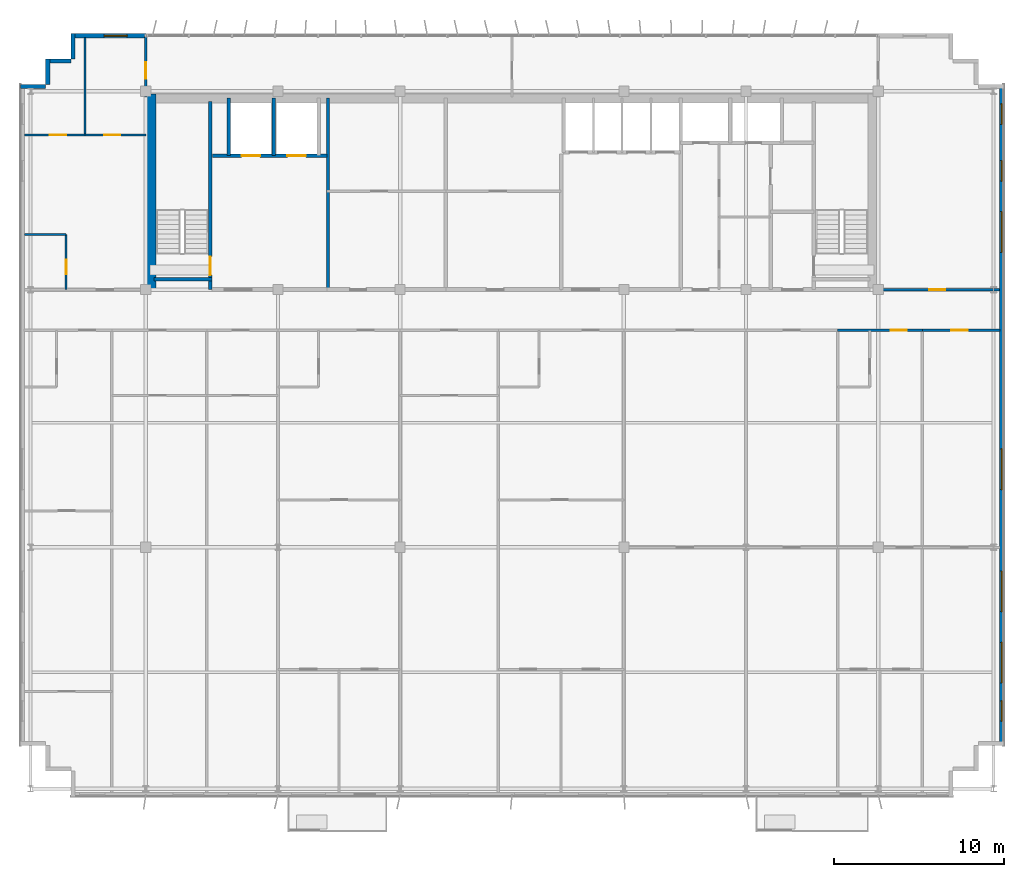
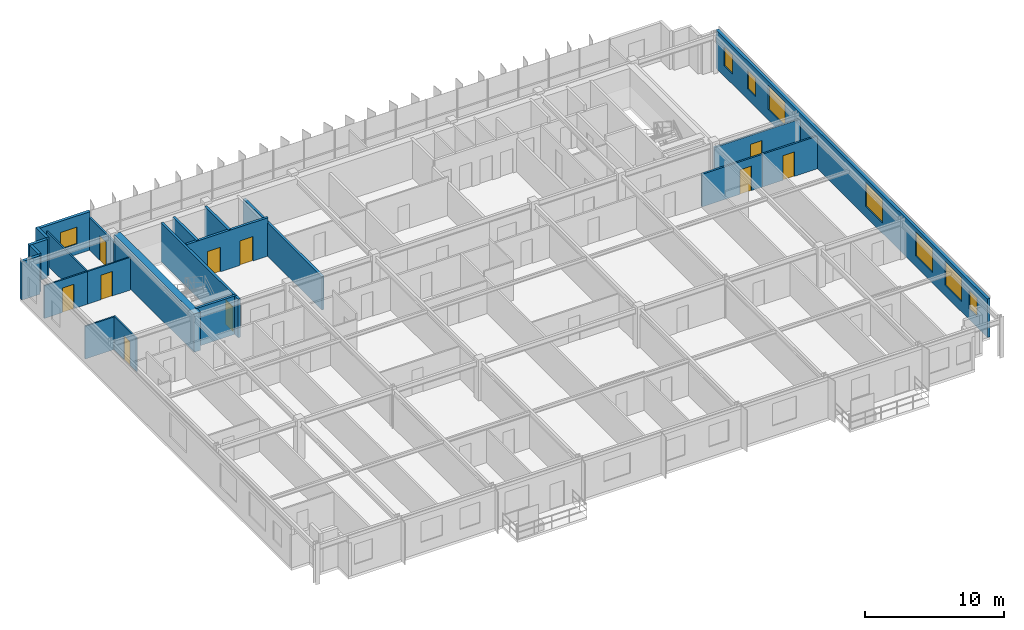
# One storey, part 19 of 23: 22 walls, 10 doors, 8 windows, 18 openings.
"""IFC4 building model written with IfcOpenShell, lengths in metres."""

from ifc_helpers import new_model, si_unit, direction, frame, frame_2d, origin, place, context, subcontext, project, spatial, rectangle, extrude, source, transform, mapped, material, layer, layer_set, type_object, element, fill, save


model = new_model("IFC4")

# Units and contexts
model_context = context("Model", 3, precision=1e-05, world=origin(), true_north=direction((0.0, 1.0)))
body_context = subcontext(model_context, "Body", "Model", "MODEL_VIEW")
ifc_project = project(units=[si_unit("LENGTHUNIT", "METRE"), si_unit("AREAUNIT", "SQUARE_METRE"), si_unit("VOLUMEUNIT", "CUBIC_METRE"), si_unit("PLANEANGLEUNIT", "RADIAN"), si_unit("MASSUNIT", "GRAM", prefix="KILO")], contexts=[model_context])

# Site, building, storey
site_placement = place(None, origin())
site = spatial("IfcSite", under=ifc_project, at=site_placement, CompositionType="ELEMENT")
building_placement = place(site_placement, origin())
building = spatial("IfcBuilding", under=site, at=building_placement, Name="Trelvane Seafront Commons", CompositionType="ELEMENT")
storey_placement = place(building_placement, frame((0.0, 0.0, 266.699951171875)))
storey = spatial("IfcBuildingStorey", under=building, at=storey_placement, Name="L69", CompositionType="ELEMENT", Elevation=266.699951171875)

# Wall, opening, window
ifc_material_1 = material(Name="Precast concrete C40/50", Category="concrete")
ifc_layer_1 = layer(ifc_material_1, 0.239990234375, Name="ARCH-WALL-EXT240")
ifc_layer_set_1 = layer_set([ifc_layer_1], Name="Precast concrete C40/50")
wall_type_1 = type_object("IfcWallType", Name="ARCH-WALL-EXT240", PredefinedType="SOLIDWALL", material=ifc_layer_set_1)
wall_1_placement = place(storey_placement, frame((11.300048828125, 48.3701171875, 0.0), z_axis=(0.0, 0.0, 1.0), x_axis=(1.0, 0.0, 0.0)))
wall_1 = element("IfcWall", 1, at=wall_1_placement, inside=storey, type_object=wall_type_1, Name="EW-L69-NW-1382", PredefinedType="SOLIDWALL", context=body_context, shape_type="SweptSolid", body=[
    extrude(rectangle(XDim=4.300048828125, YDim=0.239990234375, at=frame_2d((2.14990234375, 0.0))), origin(), (0.0, 0.0, 1.0), 3.3701171875),
])
opening_1_placement = place(wall_1_placement, frame((1.847900390625, 0.0, 0.89990234375)))
opening_1 = element("IfcOpeningElement", 2, at=opening_1_placement, cuts=wall_1, Name="Opening W09", PredefinedType="OPENING", context=body_context, shape_type="SweptSolid", body=[
    extrude(rectangle(XDim=1.35009765625, YDim=1.5, at=frame_2d((0.675048828125, 0.75))), frame((0.0, 0.1298828125, 0.0), z_axis=(0.0, -1.0, 0.0), x_axis=(1.0, 0.0, 0.0)), (0.0, 0.0, 1.0), 0.260009765625),
])
ifc_material_2 = material(Name="Low-E coastal double glazing", Category="glass")
window_type_1 = type_object("IfcWindowType", Name="ARCH-WIN-W09", PartitioningType="SINGLE_PANEL", PredefinedType="WINDOW", material=ifc_material_2)
shared_shape_1 = source(origin(), body_context, "Body", "SweptSolid", [
    extrude(rectangle(XDim=1.35009765625, YDim=1.5, at=frame_2d((0.675048828125, 0.75))), frame((0.0, 0.030029296875, 0.0), z_axis=(0.0, -1.0, 0.0), x_axis=(1.0, 0.0, 0.0)), (0.0, 0.0, 1.0), 0.06005859375),
])
window_1_placement = place(opening_1_placement, origin())
window_1 = element("IfcWindow", 3, at=window_1_placement, inside=storey, type_object=window_type_1, Name="WIN-L69-01646", OverallHeight=1.5, OverallWidth=1.35009765625, PartitioningType="SINGLE_PANEL", PredefinedType="WINDOW", context=body_context, shape_type="MappedRepresentation", body=[
    mapped(shared_shape_1, transform((0.0, 0.0, 0.0), x_axis=(1.0, 0.0, 0.0), y_axis=(0.0, 1.0, 0.0), z_axis=(0.0, 0.0, 1.0), scale=1.0)),
])
fill(opening_1, window_1)

# Walls
for number, where, z_axis, x_axis, name in (
    (4, (8.199951171875, 45.3798828125, 0.0), (0.0, 0.0, 1.0), (1.0, 0.0, 0.0), "EW-L69-01388"),
    (5, (9.820068359375, 45.5, 0.0), (0.0, 0.0, 1.0), (0.0, 1.0, 0.0), "EW-L69-01389"),
    (6, (9.699951171875, 46.8798828125, 0.0), (0.0, 0.0, 1.0), (1.0, 0.0, 0.0), "EW-L69-01390"),
    (7, (11.320068359375, 47.0, 0.0), (0.0, 0.0, 1.0), (0.0, 1.0, 0.0), "EW-L69-01391"),
):
    element("IfcWall", number, at=place(storey_placement, frame(where, z_axis=z_axis, x_axis=x_axis)), inside=storey, type_object=wall_type_1, Name=name, PredefinedType="SOLIDWALL", context=body_context, shape_type="SweptSolid", body=[
        extrude(rectangle(XDim=1.5, YDim=0.239990234375, at=frame_2d((0.75, 0.0))), origin(), (0.0, 0.0, 1.0), 3.3701171875),
    ])

# Wall, openings, windows
wall_2_placement = place(storey_placement, frame((66.080078125, 45.5, 0.0), z_axis=(0.0, 0.0, 1.0), x_axis=(0.0, -1.0, 0.0)))
wall_2 = element("IfcWall", 8, at=wall_2_placement, inside=storey, type_object=wall_type_1, Name="EW-L69-01396", PredefinedType="SOLIDWALL", context=body_context, shape_type="SweptSolid", body=[
    extrude(rectangle(XDim=39.0, YDim=0.239990234375, at=frame_2d((19.5, 0.0))), origin(), (0.0, 0.0, 1.0), 3.3701171875),
])
opening_2_placement = place(wall_2_placement, frame((36.35009765625, 0.0, 0.919921875)))
opening_2 = element("IfcOpeningElement", 9, at=opening_2_placement, cuts=wall_2, Name="Opening W05", PredefinedType="OPENING", context=body_context, shape_type="SweptSolid", body=[
    extrude(rectangle(XDim=1.199951171875, YDim=1.64990234375, at=frame_2d((0.60009765625, 0.824951171875))), frame((0.0, 0.1298828125, 0.0), z_axis=(0.0, -1.0, 0.0), x_axis=(1.0, 0.0, 0.0)), (0.0, 0.0, 1.0), 0.260009765625),
])
opening_3_placement = place(wall_2_placement, frame((32.89990234375, 0.0, 0.919921875)))
opening_3 = element("IfcOpeningElement", 10, at=opening_3_placement, cuts=wall_2, Name="Opening W08", PredefinedType="OPENING", context=body_context, shape_type="SweptSolid", body=[
    extrude(rectangle(XDim=2.39990234375, YDim=2.10009765625, at=frame_2d((1.199951171875, 1.050048828125))), frame((0.0, 0.1298828125, 0.0), z_axis=(0.0, -1.0, 0.0), x_axis=(1.0, 0.0, 0.0)), (0.0, 0.0, 1.0), 0.260009765625),
])
opening_4_placement = place(wall_2_placement, frame((28.699951171875, 0.0, 0.919921875)))
opening_4 = element("IfcOpeningElement", 11, at=opening_4_placement, cuts=wall_2, Name="Opening W08", PredefinedType="OPENING", context=body_context, shape_type="SweptSolid", body=[
    extrude(rectangle(XDim=2.39990234375, YDim=2.10009765625, at=frame_2d((1.199951171875, 1.050048828125))), frame((0.0, 0.1298828125, 0.0), z_axis=(0.0, -1.0, 0.0), x_axis=(1.0, 0.0, 0.0)), (0.0, 0.0, 1.0), 0.260009765625),
])
opening_5_placement = place(wall_2_placement, frame((21.5, 0.0, 0.919921875)))
opening_5 = element("IfcOpeningElement", 12, at=opening_5_placement, cuts=wall_2, Name="Opening W08", PredefinedType="OPENING", context=body_context, shape_type="SweptSolid", body=[
    extrude(rectangle(XDim=2.39990234375, YDim=2.10009765625, at=frame_2d((1.199951171875, 1.050048828125))), frame((0.0, 0.1298828125, 0.0), z_axis=(0.0, -1.0, 0.0), x_axis=(1.0, 0.0, 0.0)), (0.0, 0.0, 1.0), 0.260009765625),
])
opening_6_placement = place(wall_2_placement, frame((7.5, 0.0, 0.919921875)))
opening_6 = element("IfcOpeningElement", 13, at=opening_6_placement, cuts=wall_2, Name="Opening W08", PredefinedType="OPENING", context=body_context, shape_type="SweptSolid", body=[
    extrude(rectangle(XDim=2.39990234375, YDim=2.10009765625, at=frame_2d((1.199951171875, 1.050048828125))), frame((0.0, 0.1298828125, 0.0), z_axis=(0.0, -1.0, 0.0), x_axis=(1.0, 0.0, 0.0)), (0.0, 0.0, 1.0), 0.260009765625),
])
opening_7_placement = place(wall_2_placement, frame((4.5, 0.0, 0.919921875)))
opening_7 = element("IfcOpeningElement", 14, at=opening_7_placement, cuts=wall_2, Name="Opening W05", PredefinedType="OPENING", context=body_context, shape_type="SweptSolid", body=[
    extrude(rectangle(XDim=1.199951171875, YDim=1.64990234375, at=frame_2d((0.60009765625, 0.824951171875))), frame((0.0, 0.1298828125, 0.0), z_axis=(0.0, -1.0, 0.0), x_axis=(1.0, 0.0, 0.0)), (0.0, 0.0, 1.0), 0.260009765625),
])
opening_8_placement = place(wall_2_placement, frame((1.14990234375, 0.0, 0.919921875)))
opening_8 = element("IfcOpeningElement", 15, at=opening_8_placement, cuts=wall_2, Name="Opening W05", PredefinedType="OPENING", context=body_context, shape_type="SweptSolid", body=[
    extrude(rectangle(XDim=1.199951171875, YDim=1.64990234375, at=frame_2d((0.60009765625, 0.824951171875))), frame((0.0, 0.1298828125, 0.0), z_axis=(0.0, -1.0, 0.0), x_axis=(1.0, 0.0, 0.0)), (0.0, 0.0, 1.0), 0.260009765625),
])
window_type_2 = type_object("IfcWindowType", Name="ARCH-WIN-W08", PartitioningType="SINGLE_PANEL", PredefinedType="WINDOW", material=ifc_material_2)
shared_shape_2 = source(origin(), body_context, "Body", "SweptSolid", [
    extrude(rectangle(XDim=2.39990234375, YDim=2.10009765625, at=frame_2d((1.199951171875, 1.050048828125))), frame((0.0, 0.030029296875, 0.0), z_axis=(0.0, -1.0, 0.0), x_axis=(1.0, 0.0, 0.0)), (0.0, 0.0, 1.0), 0.06005859375),
])
window_2_placement = place(opening_3_placement, origin())
window_2 = element("IfcWindow", 16, at=window_2_placement, inside=storey, type_object=window_type_2, Name="WIN-L69-EW-01655", OverallHeight=2.10009765625, OverallWidth=2.39990234375, PartitioningType="SINGLE_PANEL", PredefinedType="WINDOW", context=body_context, shape_type="MappedRepresentation", body=[
    mapped(shared_shape_2, transform((0.0, 0.0, 0.0), x_axis=(1.0, 0.0, 0.0), y_axis=(0.0, 1.0, 0.0), z_axis=(0.0, 0.0, 1.0), scale=1.0)),
])
fill(opening_3, window_2)
window_3_placement = place(opening_4_placement, origin())
window_3 = element("IfcWindow", 17, at=window_3_placement, inside=storey, type_object=window_type_2, Name="WIN-L69-EW-01656", OverallHeight=2.10009765625, OverallWidth=2.39990234375, PartitioningType="SINGLE_PANEL", PredefinedType="WINDOW", context=body_context, shape_type="MappedRepresentation", body=[
    mapped(shared_shape_2, transform((0.0, 0.0, 0.0), x_axis=(1.0, 0.0, 0.0), y_axis=(0.0, 1.0, 0.0), z_axis=(0.0, 0.0, 1.0), scale=1.0)),
])
fill(opening_4, window_3)
window_4_placement = place(opening_5_placement, origin())
window_4 = element("IfcWindow", 18, at=window_4_placement, inside=storey, type_object=window_type_2, Name="WIN-L69-EW-01657", OverallHeight=2.10009765625, OverallWidth=2.39990234375, PartitioningType="SINGLE_PANEL", PredefinedType="WINDOW", context=body_context, shape_type="MappedRepresentation", body=[
    mapped(shared_shape_2, transform((0.0, 0.0, 0.0), x_axis=(1.0, 0.0, 0.0), y_axis=(0.0, 1.0, 0.0), z_axis=(0.0, 0.0, 1.0), scale=1.0)),
])
fill(opening_5, window_4)
window_5_placement = place(opening_6_placement, origin())
window_5 = element("IfcWindow", 19, at=window_5_placement, inside=storey, type_object=window_type_2, Name="WIN-L69-EW-01658", OverallHeight=2.10009765625, OverallWidth=2.39990234375, PartitioningType="SINGLE_PANEL", PredefinedType="WINDOW", context=body_context, shape_type="MappedRepresentation", body=[
    mapped(shared_shape_2, transform((0.0, 0.0, 0.0), x_axis=(1.0, 0.0, 0.0), y_axis=(0.0, 1.0, 0.0), z_axis=(0.0, 0.0, 1.0), scale=1.0)),
])
fill(opening_6, window_5)
window_type_3 = type_object("IfcWindowType", Name="ARCH-WIN-W05", PartitioningType="SINGLE_PANEL", PredefinedType="WINDOW", material=ifc_material_2)
shared_shape_3 = source(origin(), body_context, "Body", "SweptSolid", [
    extrude(rectangle(XDim=1.199951171875, YDim=1.64990234375, at=frame_2d((0.60009765625, 0.824951171875))), frame((0.0, 0.030029296875, 0.0), z_axis=(0.0, -1.0, 0.0), x_axis=(1.0, 0.0, 0.0)), (0.0, 0.0, 1.0), 0.06005859375),
])
window_6_placement = place(opening_2_placement, origin())
window_6 = element("IfcWindow", 20, at=window_6_placement, inside=storey, type_object=window_type_3, Name="WIN-L69-EW-01654", OverallHeight=1.64990234375, OverallWidth=1.199951171875, PartitioningType="SINGLE_PANEL", PredefinedType="WINDOW", context=body_context, shape_type="MappedRepresentation", body=[
    mapped(shared_shape_3, transform((0.0, 0.0, 0.0), x_axis=(1.0, 0.0, 0.0), y_axis=(0.0, 1.0, 0.0), z_axis=(0.0, 0.0, 1.0), scale=1.0)),
])
fill(opening_2, window_6)
window_7_placement = place(opening_7_placement, origin())
window_7 = element("IfcWindow", 21, at=window_7_placement, inside=storey, type_object=window_type_3, Name="WIN-L69-EW-01659", OverallHeight=1.64990234375, OverallWidth=1.199951171875, PartitioningType="SINGLE_PANEL", PredefinedType="WINDOW", context=body_context, shape_type="MappedRepresentation", body=[
    mapped(shared_shape_3, transform((0.0, 0.0, 0.0), x_axis=(1.0, 0.0, 0.0), y_axis=(0.0, 1.0, 0.0), z_axis=(0.0, 0.0, 1.0), scale=1.0)),
])
fill(opening_7, window_7)
window_8_placement = place(opening_8_placement, origin())
window_8 = element("IfcWindow", 22, at=window_8_placement, inside=storey, type_object=window_type_3, Name="WIN-L69-EW-01660", OverallHeight=1.64990234375, OverallWidth=1.199951171875, PartitioningType="SINGLE_PANEL", PredefinedType="WINDOW", context=body_context, shape_type="MappedRepresentation", body=[
    mapped(shared_shape_3, transform((0.0, 0.0, 0.0), x_axis=(1.0, 0.0, 0.0), y_axis=(0.0, 1.0, 0.0), z_axis=(0.0, 0.0, 1.0), scale=1.0)),
])
fill(opening_8, window_8)

# Wall, opening, door
ifc_material_3 = material(Name="Gypsum Drywall Acoustic Partition")
ifc_layer_2 = layer(ifc_material_3, 0.1201171875, Name="ARCH-WALL-PART120")
ifc_layer_set_2 = layer_set([ifc_layer_2], Name="Gypsum Drywall Acoustic Partition")
wall_type_2 = type_object("IfcWallType", Name="ARCH-WALL-PART120", PredefinedType="PARTITIONING", material=ifc_layer_set_2)
wall_3_placement = place(storey_placement, frame((10.89990234375, 33.39990234375, 0.0), z_axis=(0.0, 0.0, 1.0), x_axis=(0.0, 1.0, 0.0)))
wall_3 = element("IfcWall", 23, at=wall_3_placement, inside=storey, type_object=wall_type_2, Name="W-L69-NW-BE-035", PredefinedType="PARTITIONING", context=body_context, shape_type="SweptSolid", body=[
    extrude(rectangle(XDim=3.25, YDim=0.1201171875, at=frame_2d((1.625, 0.0))), origin(), (0.0, 0.0, 1.0), 2.920166015625),
])
opening_9_placement = place(wall_3_placement, frame((0.89990234375, 0.0, 0.0)))
opening_9 = element("IfcOpeningElement", 24, at=opening_9_placement, cuts=wall_3, Name="Opening D-L69-22", PredefinedType="OPENING", context=body_context, shape_type="SweptSolid", body=[
    extrude(rectangle(XDim=0.85009765625, YDim=2.10009765625, at=frame_2d((0.425048828125, 1.050048828125))), frame((0.0, 0.070068359375, 0.0), z_axis=(0.0, -1.0, 0.0), x_axis=(1.0, 0.0, 0.0)), (0.0, 0.0, 1.0), 0.14013671875),
])
ifc_material_4 = material(Name="Acoustic timber door leaf", Category="wood")
door_type_1 = type_object("IfcDoorType", Name="ARCH-DR-INT850", OperationType="NOTDEFINED", PredefinedType="DOOR", material=ifc_material_4)
shared_shape_4 = source(origin(), body_context, "Body", "SweptSolid", [
    extrude(rectangle(XDim=0.85009765625, YDim=2.10009765625, at=frame_2d((0.425048828125, 1.050048828125))), frame((0.0, 0.02490234375, 0.0), z_axis=(0.0, -1.0, 0.0), x_axis=(1.0, 0.0, 0.0)), (0.0, 0.0, 1.0), 0.050048828125),
])
door_1_placement = place(opening_9_placement, origin())
door_1 = element("IfcDoor", 25, at=door_1_placement, inside=storey, type_object=door_type_1, Name="L69 Door 22", OperationType="SINGLE_SWING_RIGHT", OverallHeight=2.10009765625, OverallWidth=0.85009765625, PredefinedType="DOOR", context=body_context, shape_type="MappedRepresentation", body=[
    mapped(shared_shape_4, transform((0.0, 0.0, 0.0), x_axis=(1.0, 0.0, 0.0), y_axis=(0.0, 1.0, 0.0), z_axis=(0.0, 0.0, 1.0), scale=1.0)),
])
fill(opening_9, door_1)

# Wall
wall_4_placement = place(storey_placement, frame((8.449951171875, 36.64990234375, 0.0), z_axis=(0.0, 0.0, 1.0), x_axis=(1.0, 0.0, 0.0)))
element("IfcWall", 26, at=wall_4_placement, inside=storey, type_object=wall_type_2, Name="W-L69-NW-BN-036", PredefinedType="PARTITIONING", context=body_context, shape_type="SweptSolid", body=[
    extrude(rectangle(XDim=2.449951171875, YDim=0.1201171875, at=frame_2d((1.22509765625, 0.0))), origin(), (0.0, 0.0, 1.0), 2.8701171875),
])

# Wall, opening, door
wall_5_placement = place(storey_placement, frame((8.449951171875, 42.52001953125, 0.0), z_axis=(0.0, 0.0, 1.0), x_axis=(1.0, 0.0, 0.0)))
wall_5 = element("IfcWall", 27, at=wall_5_placement, inside=storey, type_object=wall_type_2, Name="W-L69-NW-KB1-037", PredefinedType="PARTITIONING", context=body_context, shape_type="SweptSolid", body=[
    extrude(rectangle(XDim=3.574951171875, YDim=0.1201171875, at=frame_2d((1.78759765625, 0.0))), origin(), (0.0, 0.0, 1.0), 2.8701171875),
])
opening_10_placement = place(wall_5_placement, frame((1.4990234375, 0.0, 0.0)))
opening_10 = element("IfcOpeningElement", 28, at=opening_10_placement, cuts=wall_5, Name="Opening D-L69-23", PredefinedType="OPENING", context=body_context, shape_type="SweptSolid", body=[
    extrude(rectangle(XDim=0.949951171875, YDim=2.14990234375, at=frame_2d((0.47509765625, 1.074951171875))), frame((0.0, 0.070068359375, 0.0), z_axis=(0.0, -1.0, 0.0), x_axis=(1.0, 0.0, 0.0)), (0.0, 0.0, 1.0), 0.14013671875),
])
door_type_2 = type_object("IfcDoorType", Name="ARCH-DR-INT950", OperationType="NOTDEFINED", PredefinedType="DOOR", material=ifc_material_4)
shared_shape_5 = source(origin(), body_context, "Body", "SweptSolid", [
    extrude(rectangle(XDim=0.949951171875, YDim=2.14990234375, at=frame_2d((0.47509765625, 1.074951171875))), frame((0.0, 0.02490234375, 0.0), z_axis=(0.0, -1.0, 0.0), x_axis=(1.0, 0.0, 0.0)), (0.0, 0.0, 1.0), 0.050048828125),
])
door_2_placement = place(opening_10_placement, origin())
door_2 = element("IfcDoor", 29, at=door_2_placement, inside=storey, type_object=door_type_2, Name="L69 Door 23", OperationType="SINGLE_SWING_LEFT", OverallHeight=2.14990234375, OverallWidth=0.949951171875, PredefinedType="DOOR", context=body_context, shape_type="MappedRepresentation", body=[
    mapped(shared_shape_5, transform((0.0, 0.0, 0.0), x_axis=(1.0, 0.0, 0.0), y_axis=(0.0, 1.0, 0.0), z_axis=(0.0, 0.0, 1.0), scale=1.0)),
])
fill(opening_10, door_2)

wall_6_placement = place(storey_placement, frame((12.02490234375, 42.52001953125, 0.0), z_axis=(0.0, 0.0, 1.0), x_axis=(1.0, 0.0, 0.0)))
wall_6 = element("IfcWall", 30, at=wall_6_placement, inside=storey, type_object=wall_type_2, Name="W-L69-NW-KB2-038", PredefinedType="PARTITIONING", context=body_context, shape_type="SweptSolid", body=[
    extrude(rectangle(XDim=3.5751953125, YDim=0.1201171875, at=frame_2d((1.78759765625, 0.0))), origin(), (0.0, 0.0, 1.0), 2.8701171875),
])
opening_11_placement = place(wall_6_placement, frame((1.1259765625, 0.0, 0.0)))
opening_11 = element("IfcOpeningElement", 31, at=opening_11_placement, cuts=wall_6, Name="Opening D-L69-24", PredefinedType="OPENING", context=body_context, shape_type="SweptSolid", body=[
    extrude(rectangle(XDim=0.949951171875, YDim=2.14990234375, at=frame_2d((0.47509765625, 1.074951171875))), frame((0.0, 0.070068359375, 0.0), z_axis=(0.0, -1.0, 0.0), x_axis=(1.0, 0.0, 0.0)), (0.0, 0.0, 1.0), 0.14013671875),
])
door_3_placement = place(opening_11_placement, origin())
door_3 = element("IfcDoor", 32, at=door_3_placement, inside=storey, type_object=door_type_2, Name="L69 Door 24", OperationType="SINGLE_SWING_RIGHT", OverallHeight=2.14990234375, OverallWidth=0.949951171875, PredefinedType="DOOR", context=body_context, shape_type="MappedRepresentation", body=[
    mapped(shared_shape_5, transform((0.0, 0.0, 0.0), x_axis=(1.0, 0.0, 0.0), y_axis=(0.0, 1.0, 0.0), z_axis=(0.0, 0.0, 1.0), scale=1.0)),
])
fill(opening_11, door_3)

# Wall
wall_7_placement = place(storey_placement, frame((12.02490234375, 42.52001953125, 0.0), z_axis=(0.0, 0.0, 1.0), x_axis=(0.0, 1.0, 0.0)))
element("IfcWall", 33, at=wall_7_placement, inside=storey, type_object=wall_type_2, Name="W-L69-NW-KBDV-039", PredefinedType="PARTITIONING", context=body_context, shape_type="SweptSolid", body=[
    extrude(rectangle(XDim=5.739990234375, YDim=0.1201171875, at=frame_2d((2.8701171875, 0.0))), origin(), (0.0, 0.0, 1.0), 2.920166015625),
])

# Wall, opening, door
ifc_layer_3 = layer(ifc_material_3, 0.14990234375, Name="ARCH-WALL-PART150")
ifc_layer_set_3 = layer_set([ifc_layer_3], Name="Gypsum Drywall Acoustic Partition")
wall_type_3 = type_object("IfcWallType", Name="ARCH-WALL-PART150", PredefinedType="PARTITIONING", material=ifc_layer_set_3)
wall_8_placement = place(storey_placement, frame((58.800048828125, 33.39990234375, 0.0), z_axis=(0.0, 0.0, 1.0), x_axis=(1.0, 0.0, 0.0)))
wall_8 = element("IfcWall", 34, at=wall_8_placement, inside=storey, type_object=wall_type_3, Name="W-L69-NE-ENT-041", PredefinedType="PARTITIONING", context=body_context, shape_type="SweptSolid", body=[
    extrude(rectangle(XDim=7.14990234375, YDim=0.14990234375, at=frame_2d((3.574951171875, 0.0))), origin(), (0.0, 0.0, 1.0), 2.920166015625),
])
opening_12_placement = place(wall_8_placement, frame((3.0, 0.0, 0.0)))
opening_12 = element("IfcOpeningElement", 35, at=opening_12_placement, cuts=wall_8, Name="Opening FD-L69-26", PredefinedType="OPENING", context=body_context, shape_type="SweptSolid", body=[
    extrude(rectangle(XDim=0.949951171875, YDim=2.14990234375, at=frame_2d((0.47509765625, 1.074951171875))), frame((0.0, 0.0849609375, 0.0), z_axis=(0.0, -1.0, 0.0), x_axis=(1.0, 0.0, 0.0)), (0.0, 0.0, 1.0), 0.169921875),
])
ifc_material_5 = material(Name="Powder-coated aluminium frame", Category="aluminium")
door_type_3 = type_object("IfcDoorType", Name="ARCH-DR-FD60-950", OperationType="NOTDEFINED", PredefinedType="DOOR", material=ifc_material_5)
door_4_placement = place(opening_12_placement, origin())
door_4 = element("IfcDoor", 36, at=door_4_placement, inside=storey, type_object=door_type_3, Name="L69 NE Suite Entrance Door", OperationType="SINGLE_SWING_RIGHT", OverallHeight=2.14990234375, OverallWidth=0.949951171875, PredefinedType="DOOR", context=body_context, shape_type="MappedRepresentation", body=[
    mapped(shared_shape_5, transform((0.0, 0.0, 0.0), x_axis=(1.0, 0.0, 0.0), y_axis=(0.0, 1.0, 0.0), z_axis=(0.0, 0.0, 1.0), scale=1.0)),
])
fill(opening_12, door_4)

wall_9_placement = place(storey_placement, frame((15.60009765625, 44.75, 0.0), z_axis=(0.0, 0.0, 1.0), x_axis=(0.0, 1.0, 0.0)))
wall_9 = element("IfcWall", 37, at=wall_9_placement, inside=storey, type_object=wall_type_3, Name="W-L69-N-LINK-W-043", PredefinedType="PARTITIONING", context=body_context, shape_type="SweptSolid", body=[
    extrude(rectangle(XDim=3.610107421875, YDim=0.14990234375, at=frame_2d((1.80517578125, 0.0))), origin(), (0.0, 0.0, 1.0), 2.8701171875),
])
opening_13_placement = place(wall_9_placement, frame((1.10009765625, 0.0, 0.0)))
opening_13 = element("IfcOpeningElement", 38, at=opening_13_placement, cuts=wall_9, Name="Opening FD-L69-28", PredefinedType="OPENING", context=body_context, shape_type="SweptSolid", body=[
    extrude(rectangle(XDim=0.949951171875, YDim=2.14990234375, at=frame_2d((0.47509765625, 1.074951171875))), frame((0.0, 0.0849609375, 0.0), z_axis=(0.0, -1.0, 0.0), x_axis=(1.0, 0.0, 0.0)), (0.0, 0.0, 1.0), 0.169921875),
])
door_5_placement = place(opening_13_placement, origin())
door_5 = element("IfcDoor", 39, at=door_5_placement, inside=storey, type_object=door_type_3, Name="L69 Door 28", OperationType="SINGLE_SWING_RIGHT", OverallHeight=2.14990234375, OverallWidth=0.949951171875, PredefinedType="DOOR", context=body_context, shape_type="MappedRepresentation", body=[
    mapped(shared_shape_5, transform((0.0, 0.0, 0.0), x_axis=(1.0, 0.0, 0.0), y_axis=(0.0, 1.0, 0.0), z_axis=(0.0, 0.0, 1.0), scale=1.0)),
])
fill(opening_13, door_5)

wall_10_placement = place(storey_placement, frame((56.39990234375, 31.0, 0.0), z_axis=(0.0, 0.0, 1.0), x_axis=(1.0, 0.0, 0.0)))
wall_10 = element("IfcWall", 40, at=wall_10_placement, inside=storey, type_object=wall_type_3, Name="W-L69-CS-BAY-9-086", PredefinedType="PARTITIONING", context=body_context, shape_type="SweptSolid", body=[
    extrude(rectangle(XDim=5.0, YDim=0.14990234375, at=frame_2d((2.5, 0.0))), origin(), (0.0, 0.0, 1.0), 2.8701171875),
])
opening_14_placement = place(wall_10_placement, frame((3.14404296875, 0.0, 0.0)))
opening_14 = element("IfcOpeningElement", 41, at=opening_14_placement, cuts=wall_10, Name="Opening FD-L69-56", PredefinedType="OPENING", context=body_context, shape_type="SweptSolid", body=[
    extrude(rectangle(XDim=0.949951171875, YDim=2.14990234375, at=frame_2d((0.47509765625, 1.074951171875))), frame((0.0, 0.0849609375, 0.0), z_axis=(0.0, -1.0, 0.0), x_axis=(1.0, 0.0, 0.0)), (0.0, 0.0, 1.0), 0.169921875),
])
door_6_placement = place(opening_14_placement, origin())
door_6 = element("IfcDoor", 42, at=door_6_placement, inside=storey, type_object=door_type_3, Name="L69 Unit 09 Entrance Door", OperationType="SINGLE_SWING_RIGHT", OverallHeight=2.14990234375, OverallWidth=0.949951171875, PredefinedType="DOOR", context=body_context, shape_type="MappedRepresentation", body=[
    mapped(shared_shape_5, transform((0.0, 0.0, 0.0), x_axis=(1.0, 0.0, 0.0), y_axis=(0.0, 1.0, 0.0), z_axis=(0.0, 0.0, 1.0), scale=1.0)),
])
fill(opening_14, door_6)

wall_11_placement = place(storey_placement, frame((61.39990234375, 31.0, 0.0), z_axis=(0.0, 0.0, 1.0), x_axis=(1.0, 0.0, 0.0)))
wall_11 = element("IfcWall", 43, at=wall_11_placement, inside=storey, type_object=wall_type_3, Name="W-L69-CS-BAY-10-090", PredefinedType="PARTITIONING", context=body_context, shape_type="SweptSolid", body=[
    extrude(rectangle(XDim=4.5751953125, YDim=0.14990234375, at=frame_2d((2.28759765625, 0.0))), origin(), (0.0, 0.0, 1.0), 2.8701171875),
])
opening_15_placement = place(wall_11_placement, frame((1.717041015625, 0.0, 0.0)))
opening_15 = element("IfcOpeningElement", 44, at=opening_15_placement, cuts=wall_11, Name="Opening FD-L69-59", PredefinedType="OPENING", context=body_context, shape_type="SweptSolid", body=[
    extrude(rectangle(XDim=0.949951171875, YDim=2.14990234375, at=frame_2d((0.47509765625, 1.074951171875))), frame((0.0, 0.0849609375, 0.0), z_axis=(0.0, -1.0, 0.0), x_axis=(1.0, 0.0, 0.0)), (0.0, 0.0, 1.0), 0.169921875),
])
door_7_placement = place(opening_15_placement, origin())
door_7 = element("IfcDoor", 45, at=door_7_placement, inside=storey, type_object=door_type_3, Name="L69 Bay 10 Entrance Door", OperationType="SINGLE_SWING_LEFT", OverallHeight=2.14990234375, OverallWidth=0.949951171875, PredefinedType="DOOR", context=body_context, shape_type="MappedRepresentation", body=[
    mapped(shared_shape_5, transform((0.0, 0.0, 0.0), x_axis=(1.0, 0.0, 0.0), y_axis=(0.0, 1.0, 0.0), z_axis=(0.0, 0.0, 1.0), scale=1.0)),
])
fill(opening_15, door_7)

# Wall, openings, doors
ifc_material_6 = material(Name="Concrete C40/50", Category="concrete")
ifc_layer_4 = layer(ifc_material_6, 0.199951171875, Name="ARCH-WALL-SHAFT200")
ifc_layer_set_4 = layer_set([ifc_layer_4], Name="Concrete C40/50")
wall_type_4 = type_object("IfcWallType", Name="ARCH-WALL-SHAFT200", PredefinedType="SOLIDWALL", material=ifc_layer_set_4)
wall_12_placement = place(storey_placement, frame((19.550048828125, 41.300048828125, 0.0), z_axis=(0.0, 0.0, 1.0), x_axis=(1.0, 0.0, 0.0)))
wall_12 = element("IfcWall", 46, at=wall_12_placement, inside=storey, type_object=wall_type_4, Name="W-L69-FFL-FRONT-008", PredefinedType="SOLIDWALL", context=body_context, shape_type="SweptSolid", body=[
    extrude(rectangle(XDim=6.75, YDim=0.199951171875, at=frame_2d((3.375, 0.0))), origin(), (0.0, 0.0, 1.0), 3.3701171875),
])
opening_16_placement = place(wall_12_placement, frame((1.699951171875, 0.0, 0.0)))
opening_16 = element("IfcOpeningElement", 47, at=opening_16_placement, cuts=wall_12, Name="Opening LD-FF1-L69", PredefinedType="OPENING", context=body_context, shape_type="SweptSolid", body=[
    extrude(rectangle(XDim=1.10009765625, YDim=2.14990234375, at=frame_2d((0.550048828125, 1.074951171875))), frame((0.0, 0.10986328125, 0.0), z_axis=(0.0, -1.0, 0.0), x_axis=(1.0, 0.0, 0.0)), (0.0, 0.0, 1.0), 0.219970703125),
])
opening_17_placement = place(wall_12_placement, frame((4.39990234375, 0.0, 0.0)))
opening_17 = element("IfcOpeningElement", 48, at=opening_17_placement, cuts=wall_12, Name="Opening LD-FF2-L69", PredefinedType="OPENING", context=body_context, shape_type="SweptSolid", body=[
    extrude(rectangle(XDim=1.10009765625, YDim=2.14990234375, at=frame_2d((0.550048828125, 1.074951171875))), frame((0.0, 0.10986328125, 0.0), z_axis=(0.0, -1.0, 0.0), x_axis=(1.0, 0.0, 0.0)), (0.0, 0.0, 1.0), 0.219970703125),
])
ifc_material_7 = material(Name="Stainless steel balustrade", Category="steel")
door_type_4 = type_object("IfcDoorType", Name="ARCH-DR-LD1100", OperationType="DOUBLE_DOOR_SLIDING", PredefinedType="DOOR", material=ifc_material_7)
shared_shape_6 = source(origin(), body_context, "Body", "SweptSolid", [
    extrude(rectangle(XDim=1.10009765625, YDim=2.14990234375, at=frame_2d((0.550048828125, 1.074951171875))), frame((0.0, 0.02490234375, 0.0), z_axis=(0.0, -1.0, 0.0), x_axis=(1.0, 0.0, 0.0)), (0.0, 0.0, 1.0), 0.050048828125),
])
door_8_placement = place(opening_16_placement, origin())
door_8 = element("IfcDoor", 49, at=door_8_placement, inside=storey, type_object=door_type_4, Name="L69 Firefighting Lift FFL-1 Landing Door", OperationType="DOUBLE_DOOR_SLIDING", OverallHeight=2.14990234375, OverallWidth=1.10009765625, PredefinedType="DOOR", context=body_context, shape_type="MappedRepresentation", body=[
    mapped(shared_shape_6, transform((0.0, 0.0, 0.0), x_axis=(1.0, 0.0, 0.0), y_axis=(0.0, 1.0, 0.0), z_axis=(0.0, 0.0, 1.0), scale=1.0)),
])
fill(opening_16, door_8)
door_9_placement = place(opening_17_placement, origin())
door_9 = element("IfcDoor", 50, at=door_9_placement, inside=storey, type_object=door_type_4, Name="L69 Firefighting Lift FFL-2 Landing Door", OperationType="DOUBLE_DOOR_SLIDING", OverallHeight=2.14990234375, OverallWidth=1.10009765625, PredefinedType="DOOR", context=body_context, shape_type="MappedRepresentation", body=[
    mapped(shared_shape_6, transform((0.0, 0.0, 0.0), x_axis=(1.0, 0.0, 0.0), y_axis=(0.0, 1.0, 0.0), z_axis=(0.0, 0.0, 1.0), scale=1.0)),
])
fill(opening_17, door_9)

# Walls
for number, where, z_axis, x_axis, name in (
    (51, (20.5, 41.300048828125, 0.0), (0.0, 0.0, 1.0), (0.0, 1.0, 0.0), "W-L69-FFL-SH-W-009"),
    (52, (23.14990234375, 41.300048828125, 0.0), (0.0, 0.0, 1.0), (0.0, 1.0, 0.0), "W-L69-FFL-DIV-010"),
):
    element("IfcWall", number, at=place(storey_placement, frame(where, z_axis=z_axis, x_axis=x_axis)), inside=storey, type_object=wall_type_4, Name=name, PredefinedType="SOLIDWALL", context=body_context, shape_type="SweptSolid", body=[
        extrude(rectangle(XDim=3.39990234375, YDim=0.199951171875, at=frame_2d((1.699951171875, 0.0))), origin(), (0.0, 0.0, 1.0), 3.3701171875),
    ])
wall_13_placement = place(storey_placement, frame((26.35009765625, 33.39990234375, 0.0), z_axis=(0.0, 0.0, 1.0), x_axis=(0.0, 1.0, 0.0)))
element("IfcWall", 53, at=wall_13_placement, inside=storey, type_object=wall_type_4, Name="W-L69-FFL-EAST-012", PredefinedType="SOLIDWALL", context=body_context, shape_type="SweptSolid", body=[
    extrude(rectangle(XDim=11.300048828125, YDim=0.199951171875, at=frame_2d((5.64990234375, 0.0))), origin(), (0.0, 0.0, 1.0), 2.920166015625),
])
ifc_material_8 = material(Name="Concrete C50/60", Category="concrete")
ifc_layer_5 = layer(ifc_material_8, 0.550048828125, Name="STR-WALL-CORE550")
ifc_layer_set_5 = layer_set([ifc_layer_5], Name="Concrete C50/60")
wall_type_5 = type_object("IfcWallType", Name="STR-WALL-CORE550", PredefinedType="SHEAR", material=ifc_layer_set_5)
wall_14_placement = place(storey_placement, frame((15.925048828125, 33.39990234375, 0.0), z_axis=(0.0, 0.0, 1.0), x_axis=(0.0, 1.0, 0.0)))
element("IfcWall", 54, at=wall_14_placement, inside=storey, type_object=wall_type_5, Name="W-L69-CW-END-002", PredefinedType="SHEAR", context=body_context, shape_type="SweptSolid", body=[
    extrude(rectangle(XDim=11.550048828125, YDim=0.550048828125, at=frame_2d((5.77490234375, 0.0))), origin(), (0.0, 0.0, 1.0), 3.3701171875),
])
ifc_layer_6 = layer(ifc_material_8, 0.199951171875, Name="STR-WALL-STAIR200")
ifc_layer_set_6 = layer_set([ifc_layer_6], Name="Concrete C50/60")
wall_type_6 = type_object("IfcWallType", Name="STR-WALL-STAIR200", PredefinedType="SHEAR", material=ifc_layer_set_6)
wall_15_placement = place(storey_placement, frame((16.10009765625, 34.0, 0.0), z_axis=(0.0, 0.0, 1.0), x_axis=(1.0, 0.0, 0.0)))
element("IfcWall", 55, at=wall_15_placement, inside=storey, type_object=wall_type_6, Name="W-L69-ST1-S-004", PredefinedType="SHEAR", context=body_context, shape_type="SweptSolid", body=[
    extrude(rectangle(XDim=3.39990234375, YDim=0.199951171875, at=frame_2d((1.699951171875, 0.0))), origin(), (0.0, 0.0, 1.0), 3.3701171875),
])

# Wall, opening, door
wall_16_placement = place(storey_placement, frame((19.39990234375, 33.39990234375, 0.0), z_axis=(0.0, 0.0, 1.0), x_axis=(0.0, 1.0, 0.0)))
wall_16 = element("IfcWall", 56, at=wall_16_placement, inside=storey, type_object=wall_type_6, Name="W-L69-ST1-E-005", PredefinedType="SHEAR", context=body_context, shape_type="SweptSolid", body=[
    extrude(rectangle(XDim=11.10009765625, YDim=0.199951171875, at=frame_2d((5.550048828125, 0.0))), origin(), (0.0, 0.0, 1.0), 3.3701171875),
])
opening_18_placement = place(wall_16_placement, frame((0.85009765625, 0.0, 0.0)))
opening_18 = element("IfcOpeningElement", 57, at=opening_18_placement, cuts=wall_16, Name="Opening ST-D1-L69", PredefinedType="OPENING", context=body_context, shape_type="SweptSolid", body=[
    extrude(rectangle(XDim=1.10009765625, YDim=2.14990234375, at=frame_2d((0.550048828125, 1.074951171875))), frame((0.0, 0.10986328125, 0.0), z_axis=(0.0, -1.0, 0.0), x_axis=(1.0, 0.0, 0.0)), (0.0, 0.0, 1.0), 0.219970703125),
])
door_type_5 = type_object("IfcDoorType", Name="ARCH-DR-FD90-1100", OperationType="NOTDEFINED", PredefinedType="DOOR", material=ifc_material_5)
door_10_placement = place(opening_18_placement, origin())
door_10 = element("IfcDoor", 58, at=door_10_placement, inside=storey, type_object=door_type_5, Name="L69 Stair ST-1 Lobby Fire Door", OperationType="SINGLE_SWING_LEFT", OverallHeight=2.14990234375, OverallWidth=1.10009765625, PredefinedType="DOOR", context=body_context, shape_type="MappedRepresentation", body=[
    mapped(shared_shape_6, transform((0.0, 0.0, 0.0), x_axis=(1.0, 0.0, 0.0), y_axis=(0.0, 1.0, 0.0), z_axis=(0.0, 0.0, 1.0), scale=1.0)),
])
fill(opening_18, door_10)

save(model, "model.ifc")
